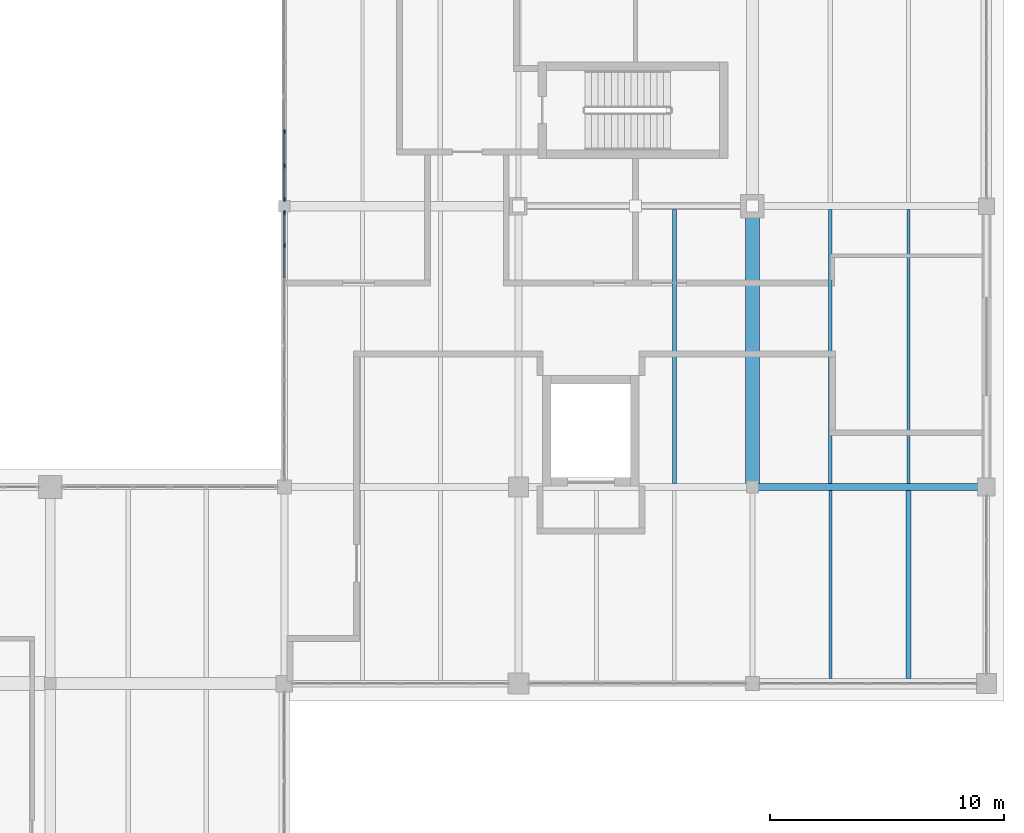
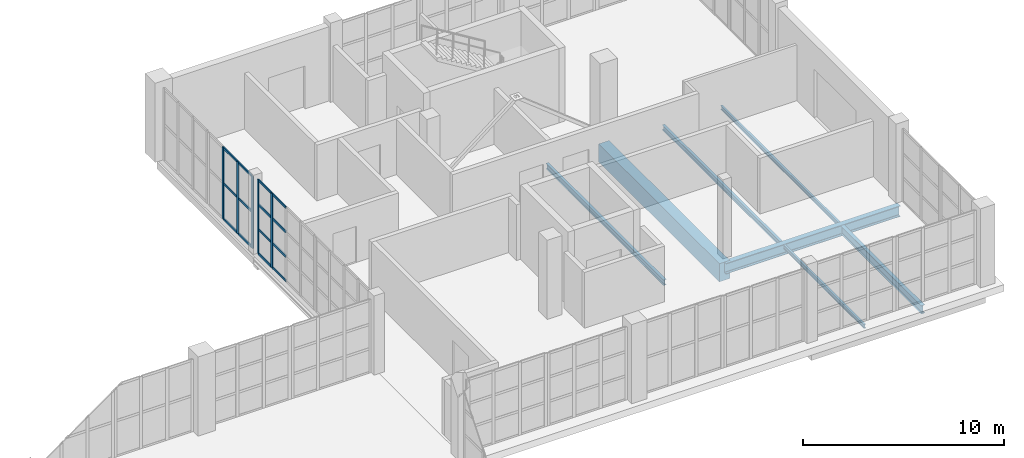
# One storey, part 68 of 121: 19 members, 7 beams, 2 elements without a shape of their own.
"""IFC4 building model written with IfcOpenShell, lengths in metres."""

import ifcopenshell
import ifcopenshell.guid

model = None  # the IFC model being written
_history = None  # IfcOwnerHistory: only IFC2X3 demands one
_inside = {}  # id of a spatial element -> (the spatial element, [elements in it])
_under = {}  # id of a project, library or spatial element -> (it, [spatial elements below it])
_declared = {}  # id of a project -> (the project, [libraries it declares])
_typed = {}  # id of a type object -> (the type object, [elements of that type])
_made_of = {}  # id of a material, layer set ... -> (it, [elements and type objects made of it])


def new_model(schema):
    """Start an empty IFC model of exactly this schema.

    Asked for "IFC4X3", IfcOpenShell would pick the latest addendum, in which some entities
    have other attributes; the version numbers below select the first issue.
    IFC2X3 requires an IfcOwnerHistory on every rooted entity: one is made here for all.
    """
    global model, _history
    if schema == "IFC4X3":
        model = ifcopenshell.file(schema_version=(4, 3, 0, 0))
    else:
        model = ifcopenshell.file(schema=schema)
    _inside.clear()
    _under.clear()
    _declared.clear()
    _typed.clear()
    _made_of.clear()
    _history = None
    if model.schema == "IFC2X3":
        org = make("IfcOrganization", Name="unknown")
        user = make(
            "IfcPersonAndOrganization",
            ThePerson=make("IfcPerson", FamilyName="unknown"),
            TheOrganization=org,
        )
        app = make(
            "IfcApplication",
            ApplicationDeveloper=org,
            Version="unknown",
            ApplicationFullName="unknown",
            ApplicationIdentifier="unknown",
        )
        _history = make(
            "IfcOwnerHistory",
            OwningUser=user,
            OwningApplication=app,
            ChangeAction="ADDED",
            CreationDate=0,
        )
    return model


def make(cls, **values):
    """One entity of the class cls with the attributes given. An attribute that is None is left unset."""
    return model.create_entity(
        cls, **{name: value for name, value in values.items() if value is not None}
    )


def rooted(cls, **values):
    """An entity with a GlobalId (a new one), such as an element, a storey or a relation."""
    return make(cls, GlobalId=ifcopenshell.guid.new(), OwnerHistory=_history, **values)


def si_unit(unit_type, name, prefix=None):
    """IfcSIUnit, for example si_unit("LENGTHUNIT", "METRE", prefix="MILLI")."""
    return make("IfcSIUnit", UnitType=unit_type, Prefix=prefix, Name=name)


def assignment(units):
    """IfcUnitAssignment: the units of a project."""
    return None if units is None else make("IfcUnitAssignment", Units=units)


def point(xyz):
    """IfcCartesianPoint."""
    return None if xyz is None else make("IfcCartesianPoint", Coordinates=xyz)


def direction(xyz):
    """IfcDirection."""
    return None if xyz is None else make("IfcDirection", DirectionRatios=xyz)


def frame(location, z_axis=None, x_axis=None):
    """IfcAxis2Placement3D, a coordinate frame: its origin and axes. An axis left out is left unset."""
    return make(
        "IfcAxis2Placement3D",
        Location=point(location),
        Axis=direction(z_axis),
        RefDirection=direction(x_axis),
    )


def frame_2d(location, x_axis=None):
    """IfcAxis2Placement2D, a coordinate frame in the plane: its origin and x axis."""
    return make(
        "IfcAxis2Placement2D", Location=point(location), RefDirection=direction(x_axis)
    )


def origin():
    """The frame at (0, 0, 0) with its axes left unset."""
    return frame((0.0, 0.0, 0.0))


def origin_2d():
    """The frame at (0, 0) in the plane with its x axis left unset."""
    return frame_2d((0.0, 0.0))


def place(relative_to, where):
    """IfcLocalPlacement: puts the frame where relative to a parent placement (None: the world)."""
    return make(
        "IfcLocalPlacement", PlacementRelTo=relative_to, RelativePlacement=where
    )


def context(
    kind, dimensions, precision=None, world=None, true_north=None, identifier=None
):
    """IfcGeometricRepresentationContext, for example the 3D "Model" context."""
    return make(
        "IfcGeometricRepresentationContext",
        ContextIdentifier=identifier,
        ContextType=kind,
        CoordinateSpaceDimension=dimensions,
        Precision=precision,
        WorldCoordinateSystem=world,
        TrueNorth=true_north,
    )


def subcontext(parent, identifier, kind, view, scale=None):
    """IfcGeometricRepresentationSubContext, for example "Body" below "Model"."""
    return make(
        "IfcGeometricRepresentationSubContext",
        ContextIdentifier=identifier,
        ContextType=kind,
        ParentContext=parent,
        TargetScale=scale,
        TargetView=view,
    )


def project(units=None, contexts=None):
    """IfcProject with its units and contexts."""
    return rooted(
        "IfcProject",
        Name="project",
        RepresentationContexts=contexts,
        UnitsInContext=assignment(units),
    )


def spatial(cls, under=None, at=None, **own):
    """A site, building, storey or space (cls), placed at a placement, below another one or the project."""
    s = rooted(cls, ObjectPlacement=at, **own)
    if under is not None:
        _under.setdefault(under.id(), (under, []))[1].append(s)
    return s


def profile(cls, at=None, kind="AREA", **sizes):
    """A parametric profile (cls). Its sizes go by their IFC names, for example OverallWidth=200.0."""
    return make(cls, ProfileType=kind, Position=at, **sizes)


def rectangle(**sizes):
    """IfcRectangleProfileDef."""
    return profile("IfcRectangleProfileDef", **sizes)


def i_section(**sizes):
    """IfcIShapeProfileDef."""
    return profile("IfcIShapeProfileDef", **sizes)


def extrude(swept, where, along, depth):
    """IfcExtrudedAreaSolid: the profile swept, set in the frame where, extruded along a direction by depth."""
    return make(
        "IfcExtrudedAreaSolid",
        SweptArea=swept,
        Position=where,
        ExtrudedDirection=direction(along),
        Depth=depth,
    )


def shape(context_of_items, identifier, shape_type, items):
    """IfcShapeRepresentation: the items that make up one representation, for example the "Body"."""
    return make(
        "IfcShapeRepresentation",
        ContextOfItems=context_of_items,
        RepresentationIdentifier=identifier,
        RepresentationType=shape_type,
        Items=items,
    )


def material(Name=None, Category=None):
    """IfcMaterial."""
    return make("IfcMaterial", Name=Name, Category=Category)


def layer(
    of_material, thickness, ventilated=None, Name=None, Category=None, Priority=None
):
    """IfcMaterialLayer: one layer of a wall or slab, of a material (None: an air gap)."""
    return make(
        "IfcMaterialLayer",
        Material=of_material,
        LayerThickness=thickness,
        IsVentilated=ventilated,
        Name=Name,
        Category=Category,
        Priority=Priority,
    )


def layer_set(layers, Name=None):
    """IfcMaterialLayerSet."""
    return make("IfcMaterialLayerSet", MaterialLayers=layers, LayerSetName=Name)


def material_profile(
    of_material, cross_section, Name=None, Category=None, Priority=None
):
    """IfcMaterialProfile: a cross section and its material."""
    return make(
        "IfcMaterialProfile",
        Name=Name,
        Material=of_material,
        Profile=cross_section,
        Priority=Priority,
        Category=Category,
    )


def profile_set(profiles, Name=None, composite=None):
    """IfcMaterialProfileSet."""
    return make(
        "IfcMaterialProfileSet",
        Name=Name,
        MaterialProfiles=profiles,
        CompositeProfile=composite,
    )


def made_of(thing, what):
    """Note that an element or type object is made of a material, layer set ...; save() writes the relation."""
    if what is not None:
        _made_of.setdefault(what.id(), (what, []))[1].append(thing)
    return thing


def type_object(cls, material=None, **own):
    """A type object (cls), such as IfcWallType, which elements share."""
    return made_of(rooted(cls, **own), material)


def element(
    cls,
    number,
    at=None,
    inside=None,
    cuts=None,
    type_object=None,
    material=None,
    context=None,
    identifier="Body",
    shape_type=None,
    held_by="IfcProductDefinitionShape",
    body=None,
    shapes=None,
    **own,
):
    """One element of the class cls, such as IfcWall. Its Tag is "e" and its number.

    at: its placement. inside: the storey or other place that contains it. cuts: it is an
    opening in that element (IfcRelVoidsElement). A single representation is given by context,
    identifier, shape_type and body (its items); several are given by shapes. held_by: the class
    of the entity that holds the representations. save() writes the other relations.
    """
    e = rooted(cls, Tag="e%d" % number, ObjectPlacement=at, **own)
    if body is not None:
        shapes = [shape(context, identifier, shape_type, body)]
    if shapes is not None:
        e.Representation = make(held_by, Representations=shapes)
    if inside is not None:
        _inside.setdefault(inside.id(), (inside, []))[1].append(e)
    if cuts is not None:
        rooted(
            "IfcRelVoidsElement", RelatingBuildingElement=cuts, RelatedOpeningElement=e
        )
    if type_object is not None:
        _typed.setdefault(type_object.id(), (type_object, []))[1].append(e)
    return made_of(e, material)


def aggregate(whole, parts):
    """IfcRelAggregates: a whole, such as a stair, and the parts it consists of."""
    return rooted("IfcRelAggregates", RelatingObject=whole, RelatedObjects=parts)


def save(model, path):
    """Write the relations noted so far, then the file.

    IfcRelAggregates (storeys below a building ...), IfcRelContainedInSpatialStructure (elements
    in a storey), IfcRelDefinesByType, IfcRelAssociatesMaterial and IfcRelDeclares: one each for
    every whole, place, type object, material and project.
    """
    for whole, parts in _under.values():
        aggregate(whole, parts)
    for where, things in _inside.values():
        rooted(
            "IfcRelContainedInSpatialStructure",
            RelatedElements=things,
            RelatingStructure=where,
        )
    for kind, things in _typed.values():
        rooted("IfcRelDefinesByType", RelatedObjects=things, RelatingType=kind)
    for what, things in _made_of.values():
        rooted("IfcRelAssociatesMaterial", RelatedObjects=things, RelatingMaterial=what)
    for by, libraries in _declared.values():
        rooted("IfcRelDeclares", RelatingContext=by, RelatedDefinitions=libraries)
    model.write(path)


model = new_model("IFC4")

# Units and contexts
model_context = context("Model", 3, precision=1e-05, world=origin(), true_north=direction((0.0, 1.0)))
body_context = subcontext(model_context, "Body", "Model", "MODEL_VIEW")
ifc_project = project(units=[si_unit("LENGTHUNIT", "METRE"), si_unit("AREAUNIT", "SQUARE_METRE"), si_unit("VOLUMEUNIT", "CUBIC_METRE"), si_unit("PLANEANGLEUNIT", "RADIAN"), si_unit("MASSUNIT", "GRAM", prefix="KILO")], contexts=[model_context])

# Site, building, storey
site_placement = place(None, origin())
site = spatial("IfcSite", under=ifc_project, at=site_placement, CompositionType="ELEMENT")
building_placement = place(site_placement, origin())
building = spatial("IfcBuilding", under=site, at=building_placement, Name="Zereglee Splitstone Museum", CompositionType="ELEMENT")
storey_placement = place(building_placement, origin())
storey = spatial("IfcBuildingStorey", under=building, at=storey_placement, Name="L00", CompositionType="ELEMENT", Elevation=0.0)

# Beam
ifc_material_1 = material(Name="Concrete C40/50", Category="concrete")
ifc_material_profile_1 = material_profile(ifc_material_1, rectangle(XDim=0.60009765625, YDim=1.10009765625, at=origin_2d()), Name="RC 600x1100")
ifc_profile_set_1 = profile_set([ifc_material_profile_1], Name="Concrete C40/50")
beam_type_1 = type_object("IfcBeamType", Name="BG-01", PredefinedType="BEAM", material=ifc_profile_set_1)
beam_1_placement = place(storey_placement, frame((316.0, 38.39990234375, -0.969970703125), z_axis=(0.0, 1.0, 0.0), x_axis=(-1.0, 0.0, 0.0)))
element("IfcBeam", 1, at=beam_1_placement, inside=storey, type_object=beam_type_1, Name="Primary Girder L00 35 (38.4-50.4)", PredefinedType="BEAM", context=body_context, shape_type="SweptSolid", body=[
    extrude(rectangle(XDim=0.60009765625, YDim=1.10009765625, at=origin_2d()), origin(), (0.0, 0.0, 1.0), 12.0),
])

# Curtain wall, members
ifc_material_2 = material(Name="Triple-glazed low-E argon glass and bronze-anodised aluminium", Category="aluminium")
ifc_layer_1 = layer(ifc_material_2, 0.179931640625)
ifc_layer_set_1 = layer_set([ifc_layer_1], Name="Triple-glazed low-E argon glass and bronze-anodised aluminium")
curtain_wall_type_1 = type_object("IfcCurtainWallType", Name="CW-0438-436", PredefinedType="USERDEFINED", material=ifc_layer_set_1)
curtain_wall_1_placement = place(storey_placement, origin())
curtain_wall_1 = element("IfcCurtainWall", 2, at=curtain_wall_1_placement, inside=storey, type_object=curtain_wall_type_1, Name="Glazed Curtain Wall CW-0438-436 (L00)", ObjectType="GLAZED CURTAIN WALL", PredefinedType="USERDEFINED")
ifc_material_3 = material(Name="Thermally broken bronze-anodised aluminium", Category="aluminium")
ifc_material_profile_2 = material_profile(ifc_material_3, rectangle(XDim=0.06494140625, YDim=0.179931640625, at=origin_2d()), Name="CW MULL 65x180")
ifc_profile_set_2 = profile_set([ifc_material_profile_2], Name="Thermally broken bronze-anodised aluminium")
member_type_1 = type_object("IfcMemberType", Name="CWM-01", PredefinedType="MULLION", material=ifc_profile_set_2)
member_1_placement = place(storey_placement, frame((296.0, 53.575927734375, 0.0), z_axis=(0.0, 0.0, 1.0), x_axis=(1.0, 0.0, 0.0)))
member_1 = element("IfcMember", 3, at=member_1_placement, type_object=member_type_1, Name="CW-0438-436 mullion 2", PredefinedType="MULLION", context=body_context, shape_type="SweptSolid", body=[
    extrude(rectangle(XDim=0.06494140625, YDim=0.179931640625, at=origin_2d()), origin(), (0.0, 0.0, 1.0), 4.360107421875),
])
member_2_placement = place(storey_placement, frame((296.0, 52.116943359375, 0.0), z_axis=(0.0, 0.0, 1.0), x_axis=(1.0, 0.0, 0.0)))
member_2 = element("IfcMember", 4, at=member_2_placement, type_object=member_type_1, Name="CW-0438-436 mullion 3", PredefinedType="MULLION", context=body_context, shape_type="SweptSolid", body=[
    extrude(rectangle(XDim=0.06494140625, YDim=0.179931640625, at=origin_2d()), origin(), (0.0, 0.0, 1.0), 4.360107421875),
])
member_3_placement = place(storey_placement, frame((296.0, 50.6904296875, 0.0), z_axis=(0.0, 0.0, 1.0), x_axis=(1.0, 0.0, 0.0)))
member_3 = element("IfcMember", 5, at=member_3_placement, type_object=member_type_1, Name="CW-0438-436 mullion 4", PredefinedType="MULLION", context=body_context, shape_type="SweptSolid", body=[
    extrude(rectangle(XDim=0.06494140625, YDim=0.179931640625, at=origin_2d()), origin(), (0.0, 0.0, 1.0), 4.360107421875),
])

ifc_layer_2 = layer(ifc_material_2, 0.179931640625)
ifc_layer_set_2 = layer_set([ifc_layer_2], Name="Triple-glazed low-E argon glass and bronze-anodised aluminium")
curtain_wall_type_2 = type_object("IfcCurtainWallType", Name="CW-0568-450", PredefinedType="USERDEFINED", material=ifc_layer_set_2)
curtain_wall_2_placement = place(storey_placement, origin())
curtain_wall_2 = element("IfcCurtainWall", 6, at=curtain_wall_2_placement, inside=storey, type_object=curtain_wall_type_2, Name="Glazed Curtain Wall CW-0568-450 (L00)", ObjectType="GLAZED CURTAIN WALL", PredefinedType="USERDEFINED")
member_4_placement = place(storey_placement, frame((296.0, 50.109619140625, 0.0), z_axis=(0.0, 0.0, 1.0), x_axis=(1.0, 0.0, 0.0)))
member_4 = element("IfcMember", 7, at=member_4_placement, type_object=member_type_1, Name="CW-0568-450 mullion 1", PredefinedType="MULLION", context=body_context, shape_type="SweptSolid", body=[
    extrude(rectangle(XDim=0.06494140625, YDim=0.179931640625, at=origin_2d()), origin(), (0.0, 0.0, 1.0), 4.5),
])
member_5_placement = place(storey_placement, frame((296.0, 48.72265625, 0.0), z_axis=(0.0, 0.0, 1.0), x_axis=(1.0, 0.0, 0.0)))
member_5 = element("IfcMember", 8, at=member_5_placement, type_object=member_type_1, Name="CW-0568-450 mullion 2", PredefinedType="MULLION", context=body_context, shape_type="SweptSolid", body=[
    extrude(rectangle(XDim=0.06494140625, YDim=0.179931640625, at=origin_2d()), origin(), (0.0, 0.0, 1.0), 4.5),
])

# Member
ifc_material_profile_3 = material_profile(ifc_material_3, rectangle(XDim=0.06494140625, YDim=0.139892578125, at=origin_2d()), Name="CW TRAN 65x140")
ifc_profile_set_3 = profile_set([ifc_material_profile_3], Name="Thermally broken bronze-anodised aluminium")
member_type_2 = type_object("IfcMemberType", Name="CWT-01", PredefinedType="USERDEFINED", material=ifc_profile_set_3)
member_6_placement = place(storey_placement, frame((296.0, 53.54345703125, 0.032470703125), z_axis=(0.0, -1.0, 0.0), x_axis=(1.0, 0.0, 0.0)))
member_6 = element("IfcMember", 9, at=member_6_placement, type_object=member_type_2, Name="CW-0438-436 transom 2.1", ObjectType="TRANSOM", PredefinedType="USERDEFINED", context=body_context, shape_type="SweptSolid", body=[
    extrude(rectangle(XDim=0.06494140625, YDim=0.139892578125, at=origin_2d()), origin(), (0.0, 0.0, 1.0), 1.39404296875),
])

member_7_placement = place(storey_placement, frame((296.0, 53.54345703125, 2.179931640625), z_axis=(0.0, -1.0, 0.0), x_axis=(1.0, 0.0, 0.0)))
member_7 = element("IfcMember", 10, at=member_7_placement, type_object=member_type_2, Name="CW-0438-436 transom 2.2", ObjectType="TRANSOM", PredefinedType="USERDEFINED", context=body_context, shape_type="SweptSolid", body=[
    extrude(rectangle(XDim=0.06494140625, YDim=0.139892578125, at=origin_2d()), origin(), (0.0, 0.0, 1.0), 1.39404296875),
])

member_8_placement = place(storey_placement, frame((296.0, 53.54345703125, 4.327392578125), z_axis=(0.0, -1.0, 0.0), x_axis=(1.0, 0.0, 0.0)))
member_8 = element("IfcMember", 11, at=member_8_placement, type_object=member_type_2, Name="CW-0438-436 transom 2.3", ObjectType="TRANSOM", PredefinedType="USERDEFINED", context=body_context, shape_type="SweptSolid", body=[
    extrude(rectangle(XDim=0.06494140625, YDim=0.139892578125, at=origin_2d()), origin(), (0.0, 0.0, 1.0), 1.39404296875),
])

member_9_placement = place(storey_placement, frame((296.0, 52.08447265625, 0.032470703125), z_axis=(0.0, -1.0, 0.0), x_axis=(1.0, 0.0, 0.0)))
member_9 = element("IfcMember", 12, at=member_9_placement, type_object=member_type_2, Name="CW-0438-436 transom 3.1", ObjectType="TRANSOM", PredefinedType="USERDEFINED", context=body_context, shape_type="SweptSolid", body=[
    extrude(rectangle(XDim=0.06494140625, YDim=0.139892578125, at=origin_2d()), origin(), (0.0, 0.0, 1.0), 1.361572265625),
])

member_10_placement = place(storey_placement, frame((296.0, 52.08447265625, 2.179931640625), z_axis=(0.0, -1.0, 0.0), x_axis=(1.0, 0.0, 0.0)))
member_10 = element("IfcMember", 13, at=member_10_placement, type_object=member_type_2, Name="CW-0438-436 transom 3.2", ObjectType="TRANSOM", PredefinedType="USERDEFINED", context=body_context, shape_type="SweptSolid", body=[
    extrude(rectangle(XDim=0.06494140625, YDim=0.139892578125, at=origin_2d()), origin(), (0.0, 0.0, 1.0), 1.361572265625),
])

member_11_placement = place(storey_placement, frame((296.0, 52.08447265625, 4.327392578125), z_axis=(0.0, -1.0, 0.0), x_axis=(1.0, 0.0, 0.0)))
member_11 = element("IfcMember", 14, at=member_11_placement, type_object=member_type_2, Name="CW-0438-436 transom 3.3", ObjectType="TRANSOM", PredefinedType="USERDEFINED", context=body_context, shape_type="SweptSolid", body=[
    extrude(rectangle(XDim=0.06494140625, YDim=0.139892578125, at=origin_2d()), origin(), (0.0, 0.0, 1.0), 1.361572265625),
])

aggregate(curtain_wall_1, [member_1, member_2, member_3, member_6, member_7, member_8, member_9, member_10, member_11])

member_12_placement = place(storey_placement, frame((296.0, 50.076904296875, 0.032470703125), z_axis=(0.0, -1.0, 0.0), x_axis=(1.0, 0.0, 0.0)))
member_12 = element("IfcMember", 15, at=member_12_placement, type_object=member_type_2, Name="CW-0568-450 transom 1.1", ObjectType="TRANSOM", PredefinedType="USERDEFINED", context=body_context, shape_type="SweptSolid", body=[
    extrude(rectangle(XDim=0.06494140625, YDim=0.139892578125, at=origin_2d()), origin(), (0.0, 0.0, 1.0), 1.321533203125),
])

member_13_placement = place(storey_placement, frame((296.0, 50.076904296875, 1.5), z_axis=(0.0, -1.0, 0.0), x_axis=(1.0, 0.0, 0.0)))
member_13 = element("IfcMember", 16, at=member_13_placement, type_object=member_type_2, Name="CW-0568-450 transom 1.2", ObjectType="TRANSOM", PredefinedType="USERDEFINED", context=body_context, shape_type="SweptSolid", body=[
    extrude(rectangle(XDim=0.06494140625, YDim=0.139892578125, at=origin_2d()), origin(), (0.0, 0.0, 1.0), 1.321533203125),
])

member_14_placement = place(storey_placement, frame((296.0, 50.076904296875, 3.0), z_axis=(0.0, -1.0, 0.0), x_axis=(1.0, 0.0, 0.0)))
member_14 = element("IfcMember", 17, at=member_14_placement, type_object=member_type_2, Name="CW-0568-450 transom 1.3", ObjectType="TRANSOM", PredefinedType="USERDEFINED", context=body_context, shape_type="SweptSolid", body=[
    extrude(rectangle(XDim=0.06494140625, YDim=0.139892578125, at=origin_2d()), origin(), (0.0, 0.0, 1.0), 1.321533203125),
])

member_15_placement = place(storey_placement, frame((296.0, 50.076904296875, 4.467529296875), z_axis=(0.0, -1.0, 0.0), x_axis=(1.0, 0.0, 0.0)))
member_15 = element("IfcMember", 18, at=member_15_placement, type_object=member_type_2, Name="CW-0568-450 transom 1.4", ObjectType="TRANSOM", PredefinedType="USERDEFINED", context=body_context, shape_type="SweptSolid", body=[
    extrude(rectangle(XDim=0.06494140625, YDim=0.139892578125, at=origin_2d()), origin(), (0.0, 0.0, 1.0), 1.321533203125),
])

member_16_placement = place(storey_placement, frame((296.0, 48.690185546875, 0.032470703125), z_axis=(0.0, -1.0, 0.0), x_axis=(1.0, 0.0, 0.0)))
member_16 = element("IfcMember", 19, at=member_16_placement, type_object=member_type_2, Name="CW-0568-450 transom 2.1", ObjectType="TRANSOM", PredefinedType="USERDEFINED", context=body_context, shape_type="SweptSolid", body=[
    extrude(rectangle(XDim=0.06494140625, YDim=0.139892578125, at=origin_2d()), origin(), (0.0, 0.0, 1.0), 1.354248046875),
])

member_17_placement = place(storey_placement, frame((296.0, 48.690185546875, 1.5), z_axis=(0.0, -1.0, 0.0), x_axis=(1.0, 0.0, 0.0)))
member_17 = element("IfcMember", 20, at=member_17_placement, type_object=member_type_2, Name="CW-0568-450 transom 2.2", ObjectType="TRANSOM", PredefinedType="USERDEFINED", context=body_context, shape_type="SweptSolid", body=[
    extrude(rectangle(XDim=0.06494140625, YDim=0.139892578125, at=origin_2d()), origin(), (0.0, 0.0, 1.0), 1.354248046875),
])

member_18_placement = place(storey_placement, frame((296.0, 48.690185546875, 3.0), z_axis=(0.0, -1.0, 0.0), x_axis=(1.0, 0.0, 0.0)))
member_18 = element("IfcMember", 21, at=member_18_placement, type_object=member_type_2, Name="CW-0568-450 transom 2.3", ObjectType="TRANSOM", PredefinedType="USERDEFINED", context=body_context, shape_type="SweptSolid", body=[
    extrude(rectangle(XDim=0.06494140625, YDim=0.139892578125, at=origin_2d()), origin(), (0.0, 0.0, 1.0), 1.354248046875),
])

member_19_placement = place(storey_placement, frame((296.0, 48.690185546875, 4.467529296875), z_axis=(0.0, -1.0, 0.0), x_axis=(1.0, 0.0, 0.0)))
member_19 = element("IfcMember", 22, at=member_19_placement, type_object=member_type_2, Name="CW-0568-450 transom 2.4", ObjectType="TRANSOM", PredefinedType="USERDEFINED", context=body_context, shape_type="SweptSolid", body=[
    extrude(rectangle(XDim=0.06494140625, YDim=0.139892578125, at=origin_2d()), origin(), (0.0, 0.0, 1.0), 1.354248046875),
])

aggregate(curtain_wall_2, [member_4, member_5, member_12, member_13, member_14, member_15, member_16, member_17, member_18, member_19])

# Beams
ifc_material_4 = material(Name="Steel S355J2", Category="steel")
ifc_material_profile_4 = material_profile(ifc_material_4, i_section(OverallWidth=0.300048828125, OverallDepth=0.64990234375, WebThickness=0.01611328125, FlangeThickness=0.031005859375, FilletRadius=0.027099609375, at=origin_2d()), Name="HE 650 B")
ifc_profile_set_4 = profile_set([ifc_material_profile_4], Name="Steel S355J2")
beam_type_2 = type_object("IfcBeamType", Name="BG-09", PredefinedType="BEAM", material=ifc_profile_set_4)
beam_2_placement = place(storey_placement, frame((316.0, 38.39990234375, -0.7451171875), z_axis=(1.0, 0.0, 0.0), x_axis=(0.0, 1.0, 0.0)))
element("IfcBeam", 23, at=beam_2_placement, inside=storey, type_object=beam_type_2, Name="Primary Girder L00 E (316.0-326.0)", PredefinedType="BEAM", context=body_context, shape_type="SweptSolid", body=[
    extrude(i_section(OverallWidth=0.300048828125, OverallDepth=0.64990234375, WebThickness=0.01611328125, FlangeThickness=0.031005859375, FilletRadius=0.027099609375, at=origin_2d()), origin(), (0.0, 0.0, 1.0), 10.0),
])
ifc_material_profile_5 = material_profile(ifc_material_4, i_section(OverallWidth=0.1201171875, OverallDepth=0.239990234375, WebThickness=0.006103515625, FlangeThickness=0.009765625, FilletRadius=0.014892578125, at=origin_2d()), Name="IPE 240")
ifc_profile_set_5 = profile_set([ifc_material_profile_5], Name="Steel S355J2")
beam_type_3 = type_object("IfcBeamType", Name="BJ-07", PredefinedType="JOIST", material=ifc_profile_set_5)
beam_3_placement = place(storey_placement, frame((319.333251953125, 30.22509765625, -0.5400390625), z_axis=(0.0, 1.0, 0.0), x_axis=(-1.0, 0.0, 0.0)))
element("IfcBeam", 24, at=beam_3_placement, inside=storey, type_object=beam_type_3, Name="Secondary Floor Joist L00-0391", PredefinedType="JOIST", context=body_context, shape_type="SweptSolid", body=[
    extrude(i_section(OverallWidth=0.1201171875, OverallDepth=0.239990234375, WebThickness=0.006103515625, FlangeThickness=0.009765625, FilletRadius=0.014892578125, at=origin_2d()), origin(), (0.0, 0.0, 1.0), 8.02490234375),
])
beam_4_placement = place(storey_placement, frame((322.666748046875, 38.550048828125, -0.5400390625), z_axis=(0.0, 1.0, 0.0), x_axis=(-1.0, 0.0, 0.0)))
element("IfcBeam", 25, at=beam_4_placement, inside=storey, type_object=beam_type_3, Name="Secondary Floor Joist L00-0412", PredefinedType="JOIST", context=body_context, shape_type="SweptSolid", body=[
    extrude(i_section(OverallWidth=0.1201171875, OverallDepth=0.239990234375, WebThickness=0.006103515625, FlangeThickness=0.009765625, FilletRadius=0.014892578125, at=origin_2d()), origin(), (0.0, 0.0, 1.0), 11.699951171875),
])
ifc_material_profile_6 = material_profile(ifc_material_4, i_section(OverallWidth=0.14990234375, OverallDepth=0.300048828125, WebThickness=0.007080078125, FlangeThickness=0.0107421875, FilletRadius=0.014892578125, at=origin_2d()), Name="IPE 300")
ifc_profile_set_6 = profile_set([ifc_material_profile_6], Name="Steel S355J2")
beam_type_4 = type_object("IfcBeamType", Name="BJ-06", PredefinedType="JOIST", material=ifc_profile_set_6)
beam_5_placement = place(storey_placement, frame((319.333251953125, 38.550048828125, -0.570068359375), z_axis=(0.0, 1.0, 0.0), x_axis=(-1.0, 0.0, 0.0)))
element("IfcBeam", 26, at=beam_5_placement, inside=storey, type_object=beam_type_4, Name="Secondary Floor Joist L00-0411", PredefinedType="JOIST", context=body_context, shape_type="SweptSolid", body=[
    extrude(i_section(OverallWidth=0.14990234375, OverallDepth=0.300048828125, WebThickness=0.007080078125, FlangeThickness=0.0107421875, FilletRadius=0.014892578125, at=origin_2d()), origin(), (0.0, 0.0, 1.0), 11.699951171875),
])
ifc_material_profile_7 = material_profile(ifc_material_4, i_section(OverallWidth=0.159912109375, OverallDepth=0.330078125, WebThickness=0.007568359375, FlangeThickness=0.011474609375, FilletRadius=0.01806640625, at=origin_2d()), Name="IPE 330")
ifc_profile_set_7 = profile_set([ifc_material_profile_7], Name="Steel S355J2")
beam_type_5 = type_object("IfcBeamType", Name="BJ-05", PredefinedType="JOIST", material=ifc_profile_set_7)
beam_6_placement = place(storey_placement, frame((312.666748046875, 38.550048828125, -0.5849609375), z_axis=(0.0, 1.0, 0.0), x_axis=(-1.0, 0.0, 0.0)))
element("IfcBeam", 27, at=beam_6_placement, inside=storey, type_object=beam_type_5, Name="Secondary Floor Joist L00-0410", PredefinedType="JOIST", context=body_context, shape_type="SweptSolid", body=[
    extrude(i_section(OverallWidth=0.159912109375, OverallDepth=0.330078125, WebThickness=0.007568359375, FlangeThickness=0.011474609375, FilletRadius=0.01806640625, at=origin_2d()), origin(), (0.0, 0.0, 1.0), 11.699951171875),
])
ifc_material_profile_8 = material_profile(ifc_material_4, i_section(OverallWidth=0.199951171875, OverallDepth=0.5, WebThickness=0.01025390625, FlangeThickness=0.01611328125, FilletRadius=0.02099609375, at=origin_2d()), Name="IPE 500")
ifc_profile_set_8 = profile_set([ifc_material_profile_8], Name="Steel S355J2")
beam_type_6 = type_object("IfcBeamType", Name="BJ-01", PredefinedType="JOIST", material=ifc_profile_set_8)
beam_7_placement = place(storey_placement, frame((322.666748046875, 30.22509765625, -0.669921875), z_axis=(0.0, 1.0, 0.0), x_axis=(-1.0, 0.0, 0.0)))
element("IfcBeam", 28, at=beam_7_placement, inside=storey, type_object=beam_type_6, Name="Secondary Floor Joist L00-0392", PredefinedType="JOIST", context=body_context, shape_type="SweptSolid", body=[
    extrude(i_section(OverallWidth=0.199951171875, OverallDepth=0.5, WebThickness=0.01025390625, FlangeThickness=0.01611328125, FilletRadius=0.02099609375, at=origin_2d()), origin(), (0.0, 0.0, 1.0), 8.02490234375),
])

save(model, "model.ifc")
